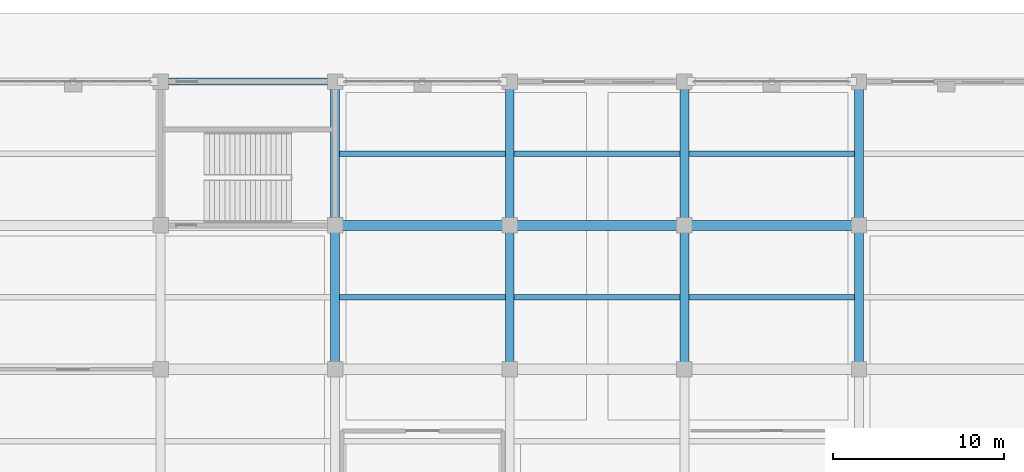
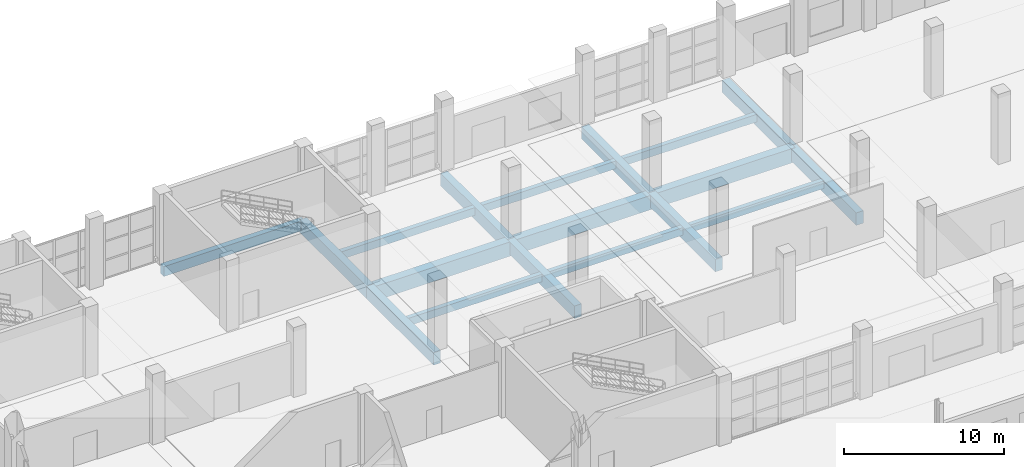
# One storey, part 67 of 124: 18 beams.
"""IFC4 building model written with IfcOpenShell, lengths in metres."""

from ifc_helpers import new_model, si_unit, direction, frame, origin, origin_2d, place, context, subcontext, project, spatial, rectangle, extrude, material, material_profile, profile_set, type_object, element, save


model = new_model("IFC4")

# Units and contexts
model_context = context("Model", 3, precision=1e-05, world=origin(), true_north=direction((0.0, 1.0)))
body_context = subcontext(model_context, "Body", "Model", "MODEL_VIEW")
ifc_project = project(units=[si_unit("LENGTHUNIT", "METRE"), si_unit("AREAUNIT", "SQUARE_METRE"), si_unit("VOLUMEUNIT", "CUBIC_METRE"), si_unit("PLANEANGLEUNIT", "RADIAN"), si_unit("MASSUNIT", "GRAM", prefix="KILO")], contexts=[model_context])

# Site, building, storey
site_placement = place(None, origin())
site = spatial("IfcSite", under=ifc_project, at=site_placement, CompositionType="ELEMENT")
building_placement = place(site_placement, origin())
building = spatial("IfcBuilding", under=site, at=building_placement, Name="Brelvane Convention Centre", CompositionType="ELEMENT")
storey_placement = place(building_placement, origin())
storey = spatial("IfcBuildingStorey", under=building, at=storey_placement, Name="L00", CompositionType="ELEMENT", Elevation=0.0)

# Beams
ifc_material_1 = material(Name="Concrete M50", Category="concrete")
ifc_material_profile_1 = material_profile(ifc_material_1, rectangle(XDim=0.60009765625, YDim=1.10009765625, at=origin_2d()), Name="RC 600x1100")
ifc_profile_set_1 = profile_set([ifc_material_profile_1], Name="Concrete M50")
beam_type_1 = type_object("IfcBeamType", Name="RC Beam B-RC2 (RC 600x1100)", PredefinedType="BEAM", material=ifc_profile_set_1)
for number, where, z_axis, x_axis, name in (
    (1, (30.60009765625, 135.60009765625, -0.965087890625), (1.0, 0.0, 0.0), (0.0, 1.0, 0.0), "L00 Beam 4-5/P"),
    (2, (40.800048828125, 135.60009765625, -0.965087890625), (1.0, 0.0, 0.0), (0.0, 1.0, 0.0), "L00 Beam 5-6/P"),
    (3, (51.0, 135.60009765625, -0.965087890625), (1.0, 0.0, 0.0), (0.0, 1.0, 0.0), "L00 Beam 6-7/P"),
):
    element("IfcBeam", number, at=place(storey_placement, frame(where, z_axis=z_axis, x_axis=x_axis)), inside=storey, type_object=beam_type_1, Name=name, PredefinedType="BEAM", context=body_context, shape_type="SweptSolid", body=[
        extrude(rectangle(XDim=0.60009765625, YDim=1.10009765625, at=origin_2d()), origin(), (0.0, 0.0, 1.0), 10.199951171875),
    ])
ifc_material_2 = material(Name="Concrete M50", Category="concrete")
ifc_material_profile_2 = material_profile(ifc_material_2, rectangle(XDim=0.52001953125, YDim=0.949951171875, at=origin_2d()), Name="RC 520x950")
ifc_profile_set_2 = profile_set([ifc_material_profile_2], Name="Concrete M50")
beam_type_2 = type_object("IfcBeamType", Name="RC Beam B-RC9 (RC 520x950)", PredefinedType="BEAM", material=ifc_profile_set_2)
beam_1_placement = place(storey_placement, frame((30.60009765625, 127.199951171875, -0.889892578125), z_axis=(0.0, 1.0, 0.0), x_axis=(-1.0, 0.0, 0.0)))
element("IfcBeam", 4, at=beam_1_placement, inside=storey, type_object=beam_type_2, Name="L00 Girder 4/N-P", PredefinedType="BEAM", context=body_context, shape_type="SweptSolid", body=[
    extrude(rectangle(XDim=0.52001953125, YDim=0.949951171875, at=origin_2d()), origin(), (0.0, 0.0, 1.0), 8.400146484375),
])
beam_2_placement = place(storey_placement, frame((30.60009765625, 135.60009765625, -0.889892578125), z_axis=(0.0, 1.0, 0.0), x_axis=(-1.0, 0.0, 0.0)))
element("IfcBeam", 5, at=beam_2_placement, inside=storey, type_object=beam_type_2, Name="L00 Girder 4/P-Q", PredefinedType="BEAM", context=body_context, shape_type="SweptSolid", body=[
    extrude(rectangle(XDim=0.52001953125, YDim=0.949951171875, at=origin_2d()), origin(), (0.0, 0.0, 1.0), 8.39990234375),
])
beam_3_placement = place(storey_placement, frame((40.800048828125, 127.199951171875, -0.889892578125), z_axis=(0.0, 1.0, 0.0), x_axis=(-1.0, 0.0, 0.0)))
element("IfcBeam", 6, at=beam_3_placement, inside=storey, type_object=beam_type_2, Name="L00 Girder 5/N-P", PredefinedType="BEAM", context=body_context, shape_type="SweptSolid", body=[
    extrude(rectangle(XDim=0.52001953125, YDim=0.949951171875, at=origin_2d()), origin(), (0.0, 0.0, 1.0), 8.400146484375),
])
beam_4_placement = place(storey_placement, frame((40.800048828125, 135.60009765625, -0.889892578125), z_axis=(0.0, 1.0, 0.0), x_axis=(-1.0, 0.0, 0.0)))
element("IfcBeam", 7, at=beam_4_placement, inside=storey, type_object=beam_type_2, Name="L00 Girder 5/P-Q", PredefinedType="BEAM", context=body_context, shape_type="SweptSolid", body=[
    extrude(rectangle(XDim=0.52001953125, YDim=0.949951171875, at=origin_2d()), origin(), (0.0, 0.0, 1.0), 8.39990234375),
])
beam_5_placement = place(storey_placement, frame((51.0, 127.199951171875, -0.889892578125), z_axis=(0.0, 1.0, 0.0), x_axis=(-1.0, 0.0, 0.0)))
element("IfcBeam", 8, at=beam_5_placement, inside=storey, type_object=beam_type_2, Name="L00 Girder 6/N-P", PredefinedType="BEAM", context=body_context, shape_type="SweptSolid", body=[
    extrude(rectangle(XDim=0.52001953125, YDim=0.949951171875, at=origin_2d()), origin(), (0.0, 0.0, 1.0), 8.400146484375),
])
beam_6_placement = place(storey_placement, frame((51.0, 135.60009765625, -0.889892578125), z_axis=(0.0, 1.0, 0.0), x_axis=(-1.0, 0.0, 0.0)))
element("IfcBeam", 9, at=beam_6_placement, inside=storey, type_object=beam_type_2, Name="L00 Girder 6/P-Q", PredefinedType="BEAM", context=body_context, shape_type="SweptSolid", body=[
    extrude(rectangle(XDim=0.52001953125, YDim=0.949951171875, at=origin_2d()), origin(), (0.0, 0.0, 1.0), 8.39990234375),
])
beam_7_placement = place(storey_placement, frame((61.199951171875, 127.199951171875, -0.905029296875), z_axis=(0.0, 1.0, 0.0), x_axis=(-1.0, 0.0, 0.0)))
element("IfcBeam", 10, at=beam_7_placement, inside=storey, type_object=beam_type_2, Name="L00 Girder 7/N-P", PredefinedType="BEAM", context=body_context, shape_type="SweptSolid", body=[
    extrude(rectangle(XDim=0.52001953125, YDim=0.949951171875, at=origin_2d()), origin(), (0.0, 0.0, 1.0), 8.400146484375),
])
beam_8_placement = place(storey_placement, frame((61.199951171875, 135.60009765625, -0.905029296875), z_axis=(0.0, 1.0, 0.0), x_axis=(-1.0, 0.0, 0.0)))
element("IfcBeam", 11, at=beam_8_placement, inside=storey, type_object=beam_type_2, Name="L00 Girder 7/P-Q", PredefinedType="BEAM", context=body_context, shape_type="SweptSolid", body=[
    extrude(rectangle(XDim=0.52001953125, YDim=0.949951171875, at=origin_2d()), origin(), (0.0, 0.0, 1.0), 8.39990234375),
])
ifc_material_3 = material(Name="Concrete M40", Category="concrete")
ifc_material_profile_3 = material_profile(ifc_material_3, rectangle(XDim=0.320068359375, YDim=0.580078125, at=origin_2d()), Name="RC 320x580")
ifc_profile_set_3 = profile_set([ifc_material_profile_3], Name="Concrete M40")
beam_type_3 = type_object("IfcBeamType", Name="RC Joist J-RC3 (RC 320x580)", PredefinedType="JOIST", material=ifc_profile_set_3)
for number, where, z_axis, x_axis, name in (
    (12, (30.860107421875, 131.39990234375, -0.705078125), (1.0, 0.0, 0.0), (0.0, 1.0, 0.0), "L00 Secondary Joist 4-5/NP"),
    (13, (30.860107421875, 139.800048828125, -0.705078125), (1.0, 0.0, 0.0), (0.0, 1.0, 0.0), "L00 Secondary Joist 4-5/PQ"),
    (14, (41.06005859375, 131.39990234375, -0.705078125), (1.0, 0.0, 0.0), (0.0, 1.0, 0.0), "L00 Secondary Joist 5-6/NP"),
    (15, (41.06005859375, 139.800048828125, -0.705078125), (1.0, 0.0, 0.0), (0.0, 1.0, 0.0), "L00 Secondary Joist 5-6/PQ"),
    (16, (51.260009765625, 131.39990234375, -0.705078125), (1.0, 0.0, 0.0), (0.0, 1.0, 0.0), "L00 Secondary Joist 6-7/NP"),
    (17, (51.260009765625, 139.800048828125, -0.705078125), (1.0, 0.0, 0.0), (0.0, 1.0, 0.0), "L00 Secondary Joist 6-7/PQ"),
):
    element("IfcBeam", number, at=place(storey_placement, frame(where, z_axis=z_axis, x_axis=x_axis)), inside=storey, type_object=beam_type_3, Name=name, PredefinedType="JOIST", context=body_context, shape_type="SweptSolid", body=[
        extrude(rectangle(XDim=0.320068359375, YDim=0.580078125, at=origin_2d()), origin(), (0.0, 0.0, 1.0), 9.679931640625),
    ])
ifc_material_4 = material(Name="Concrete M40", Category="concrete")
ifc_material_profile_4 = material_profile(ifc_material_4, rectangle(XDim=0.39990234375, YDim=0.75, at=origin_2d()), Name="RC 400x750")
ifc_profile_set_4 = profile_set([ifc_material_profile_4], Name="Concrete M40")
beam_type_4 = type_object("IfcBeamType", Name="RC Spandrel SP-RC1 (RC 400x750)", PredefinedType="SPANDREL", material=ifc_profile_set_4)
beam_9_placement = place(storey_placement, frame((20.39990234375, 144.0, -0.7900390625), z_axis=(1.0, 0.0, 0.0), x_axis=(0.0, 1.0, 0.0)))
element("IfcBeam", 18, at=beam_9_placement, inside=storey, type_object=beam_type_4, Name="L00 Beam 3-4/Q", PredefinedType="SPANDREL", context=body_context, shape_type="SweptSolid", body=[
    extrude(rectangle(XDim=0.39990234375, YDim=0.75, at=origin_2d()), origin(), (0.0, 0.0, 1.0), 10.2001953125),
])

save(model, "model.ifc")
